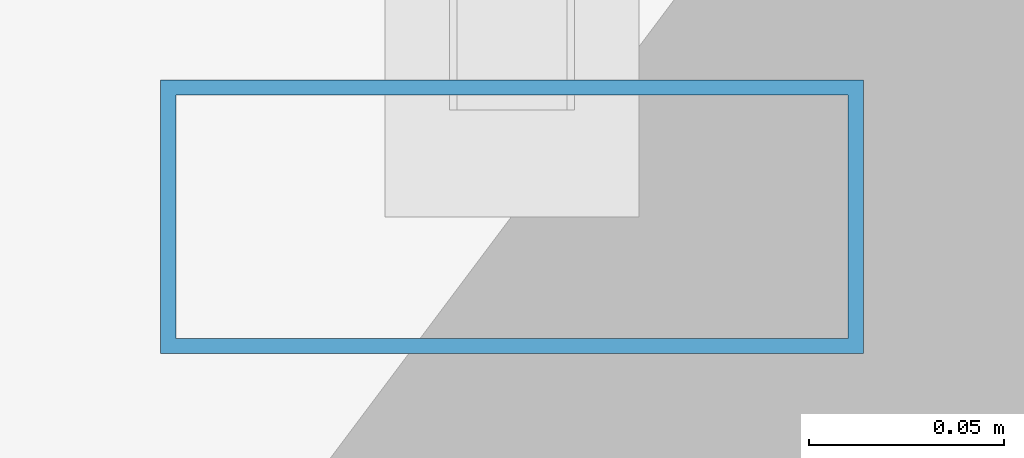
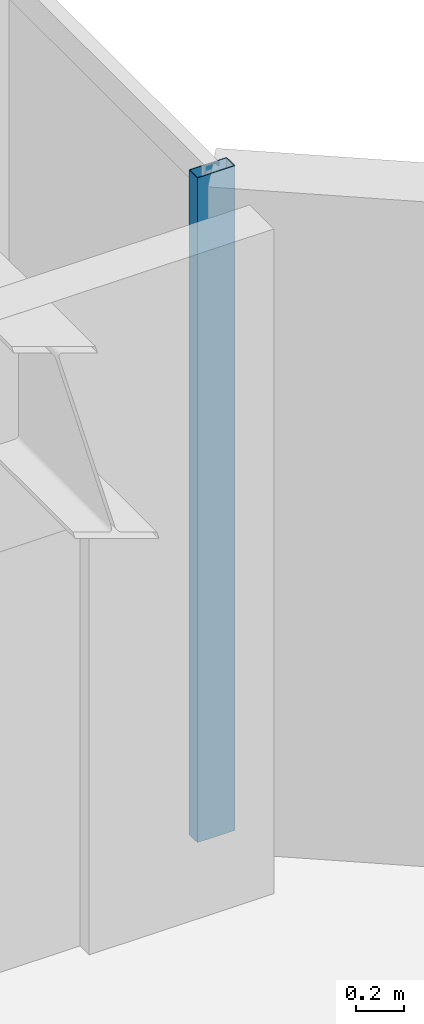
# One storey, part 15 of 27: 1 member, 1 element without a shape of its own.
"""IFC4 building model written with IfcOpenShell, lengths in metres."""

from ifc_helpers import new_model, si_unit, direction, frame, origin, origin_2d, place, context, subcontext, project, spatial, hollow_rectangle, extrude, material, layer, layer_set, material_profile, profile_set, type_object, element, aggregate, save


model = new_model("IFC4")

# Units and contexts
model_context = context("Model", 3, precision=1e-05, world=origin(), true_north=direction((0.0, 1.0)))
body_context = subcontext(model_context, "Body", "Model", "MODEL_VIEW")
ifc_project = project(units=[si_unit("LENGTHUNIT", "METRE"), si_unit("AREAUNIT", "SQUARE_METRE"), si_unit("VOLUMEUNIT", "CUBIC_METRE"), si_unit("PLANEANGLEUNIT", "RADIAN"), si_unit("MASSUNIT", "GRAM", prefix="KILO")], contexts=[model_context])

# Site, building, storey
site_placement = place(None, origin())
site = spatial("IfcSite", under=ifc_project, at=site_placement, CompositionType="ELEMENT")
building_placement = place(site_placement, origin())
building = spatial("IfcBuilding", under=site, at=building_placement, Name="Hatsunagi Terrace Concourse", CompositionType="ELEMENT")
storey_placement = place(building_placement, frame((0.0, 0.0, 145.64990234375)))
storey = spatial("IfcBuildingStorey", under=building, at=storey_placement, Name="L38", CompositionType="ELEMENT", Elevation=145.64990234375)

# Curtain wall, member
ifc_material_1 = material(Name="Anodised Aluminium Alloy 6063-T5", Category="aluminium")
ifc_layer = layer(ifc_material_1, 0.199951171875)
ifc_layer_set = layer_set([ifc_layer], Name="OfficeZone1_CW03")
curtain_wall_type = type_object("IfcCurtainWallType", Name="OfficeZone1_CW03", PredefinedType="NOTDEFINED", material=ifc_layer_set)
curtain_wall_placement = place(storey_placement, origin())
curtain_wall = element("IfcCurtainWall", 1, at=curtain_wall_placement, inside=storey, type_object=curtain_wall_type, Name="Unitised Curtain Wall CW-03 CW-L38-13", PredefinedType="NOTDEFINED")
ifc_material_2 = material(Name="Anodised Aluminium Alloy 6063-T5", Category="aluminium")
ifc_material_profile = material_profile(ifc_material_2, hollow_rectangle(XDim=0.070068359375, YDim=0.179931640625, WallThickness=0.00390625, at=origin_2d()), Name="ALU-MUL-180x70x4")
ifc_profile_set = profile_set([ifc_material_profile], Name="Anodised Aluminium Alloy 6063-T5")
member_type = type_object("IfcMemberType", Name="CurtainWallMullion_180x70", PredefinedType="MULLION", material=ifc_profile_set)
member_placement = place(storey_placement, frame((44.860107421875, 40.72998046875, 0.0), z_axis=(0.0, 0.0, 1.0), x_axis=(0.0, -1.0, 0.0)))
member = element("IfcMember", 2, at=member_placement, type_object=member_type, Name="Curtain Wall Mullion MUL-02", PredefinedType="MULLION", context=body_context, shape_type="SweptSolid", body=[
    extrude(hollow_rectangle(XDim=0.070068359375, YDim=0.179931640625, WallThickness=0.00390625, at=origin_2d()), origin(), (0.0, 0.0, 1.0), 3.35009765625),
])
aggregate(curtain_wall, [member])

save(model, "model.ifc")
